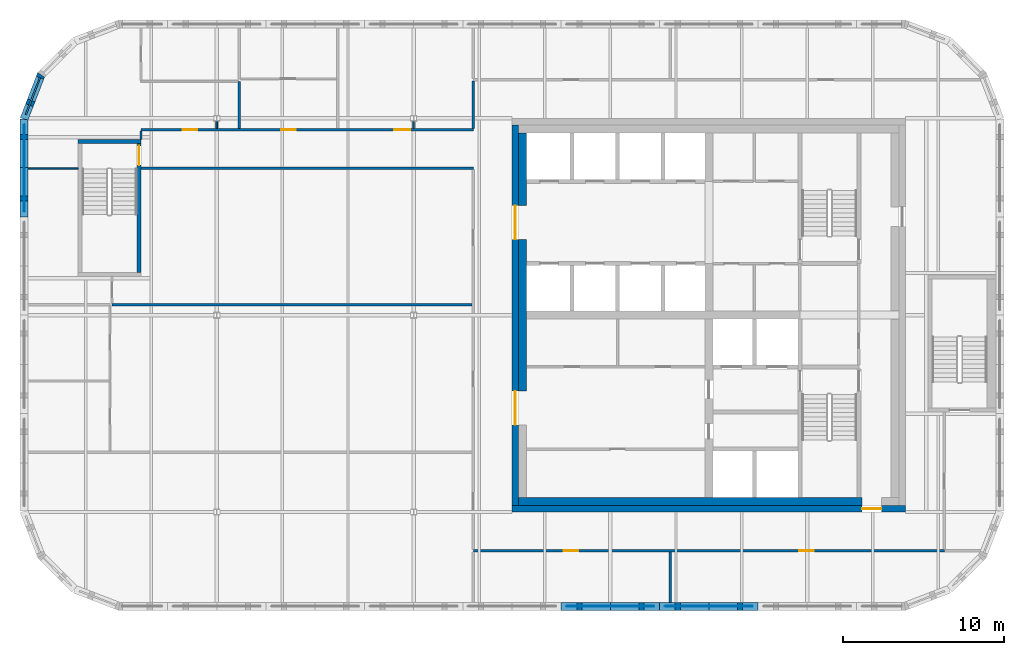
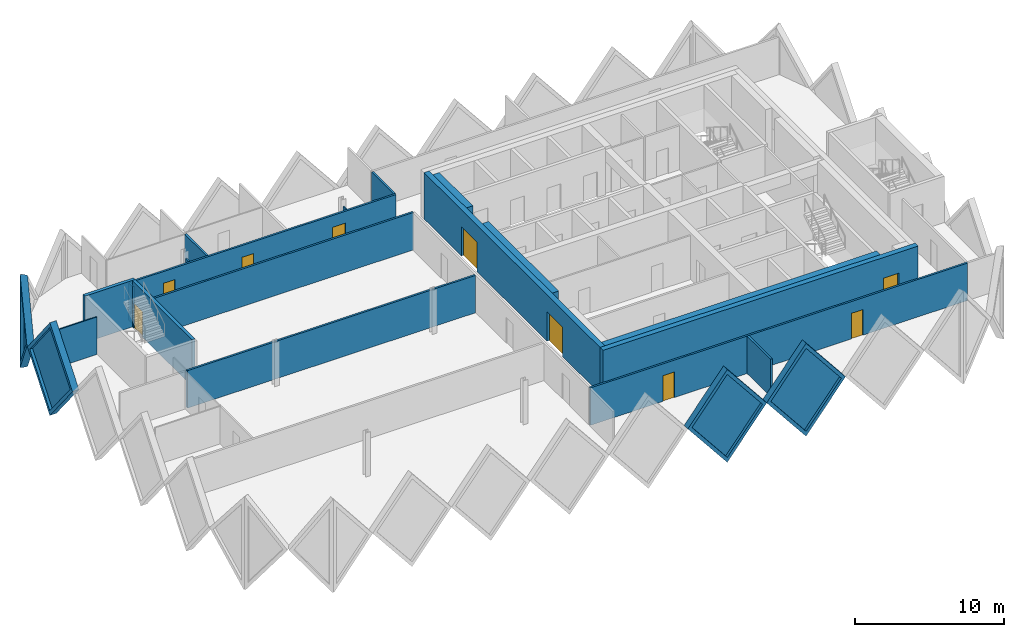
# One storey, part 4 of 10: 22 walls, 9 doors, 4 plates, 13 openings.
"""IFC4 building model written with IfcOpenShell, lengths in metres."""

from ifc_helpers import new_model, si_unit, direction, frame, frame_2d, origin, place, context, subcontext, project, spatial, polyline, rectangle, outline, extrude, faceted_brep, source, transform, mapped, material, layer, layer_set, type_object, element, fill, save


model = new_model("IFC4")

# Units and contexts
model_context = context("Model", 3, precision=1e-05, world=origin(), true_north=direction((0.0, 1.0)))
body_context = subcontext(model_context, "Body", "Model", "MODEL_VIEW")
ifc_project = project(units=[si_unit("LENGTHUNIT", "METRE"), si_unit("AREAUNIT", "SQUARE_METRE"), si_unit("VOLUMEUNIT", "CUBIC_METRE"), si_unit("PLANEANGLEUNIT", "RADIAN"), si_unit("MASSUNIT", "GRAM", prefix="KILO")], contexts=[model_context])

# Site, building, storey
site_placement = place(None, origin())
site = spatial("IfcSite", under=ifc_project, at=site_placement, CompositionType="ELEMENT")
building_placement = place(site_placement, origin())
building = spatial("IfcBuilding", under=site, at=building_placement, Name="Tessera Gate Towers", CompositionType="ELEMENT")
storey_placement = place(building_placement, frame((0.0, 0.0, 252.10009765625)))
storey = spatial("IfcBuildingStorey", under=building, at=storey_placement, Name="L63", CompositionType="ELEMENT", Elevation=252.10009765625)

# Wall
ifc_material_1 = material(Name="Concrete C40/50", Category="concrete")
ifc_layer_1 = layer(ifc_material_1, 0.25)
ifc_layer_set_1 = layer_set([ifc_layer_1], Name="CORE ENCLOSURE WALL 250")
wall_type_1 = type_object("IfcWallType", Name="CORE ENCLOSURE WALL 250", PredefinedType="SOLIDWALL", material=ifc_layer_set_1)
wall_1_placement = place(storey_placement, frame((3.60009765625, 47.375, 0.0), z_axis=(0.0, 0.0, 1.0), x_axis=(1.0, 0.0, 0.0)))
element("IfcWall", 1, at=wall_1_placement, inside=storey, type_object=wall_type_1, Name="L63 ST3 enclosure wall", PredefinedType="SOLIDWALL", context=body_context, shape_type="SweptSolid", body=[
    extrude(rectangle(XDim=3.89990234375, YDim=0.25, at=frame_2d((1.949951171875, 0.0))), origin(), (0.0, 0.0, 1.0), 3.7998046875),
])

# Wall, opening, door
wall_2_placement = place(storey_placement, frame((7.375, 47.25, 0.0), z_axis=(0.0, 0.0, 1.0), x_axis=(0.0, -1.0, 0.0)))
wall_2 = element("IfcWall", 2, at=wall_2_placement, inside=storey, type_object=wall_type_1, Name="L63 ST3 enclosure wall", PredefinedType="SOLIDWALL", context=body_context, shape_type="SweptSolid", body=[
    extrude(rectangle(XDim=8.0, YDim=0.25, at=frame_2d((4.0, 0.0))), origin(), (0.0, 0.0, 1.0), 3.7998046875),
])
shared_shape_1 = source(origin(), body_context, "Body", "SweptSolid", [
    extrude(rectangle(XDim=1.199951171875, YDim=2.10009765625, at=frame_2d((0.60009765625, 1.050048828125))), frame((0.0, 0.135009765625, 0.0), z_axis=(0.0, -1.0, 0.0), x_axis=(1.0, 0.0, 0.0)), (0.0, 0.0, 1.0), 0.27001953125),
])
opening_1_placement = place(wall_2_placement, frame((0.14990234375, 0.0, 0.0)))
opening_1 = element("IfcOpeningElement", 3, at=opening_1_placement, cuts=wall_2, Name="Opening SD-ST3-1", PredefinedType="OPENING", context=body_context, shape_type="MappedRepresentation", body=[
    mapped(shared_shape_1, transform((0.0, 0.0, 0.0), scale=1.0)),
])
ifc_material_2 = material(Name="Hollow steel fire door", Category="steel")
door_type_1 = type_object("IfcDoorType", Name="CORE DOOR SD 1200x2100", OperationType="NOTDEFINED", PredefinedType="DOOR", material=ifc_material_2)
shared_shape_2 = source(origin(), body_context, "Body", "SweptSolid", [
    extrude(rectangle(XDim=1.199951171875, YDim=2.10009765625, at=frame_2d((0.60009765625, 1.050048828125))), frame((0.0, 0.02490234375, 0.0), z_axis=(0.0, -1.0, 0.0), x_axis=(1.0, 0.0, 0.0)), (0.0, 0.0, 1.0), 0.050048828125),
])
door_1_placement = place(opening_1_placement, origin())
door_1 = element("IfcDoor", 4, at=door_1_placement, inside=storey, type_object=door_type_1, Name="Stair door", OperationType="SINGLE_SWING_LEFT", OverallHeight=2.10009765625, OverallWidth=1.199951171875, PredefinedType="DOOR", context=body_context, shape_type="MappedRepresentation", body=[
    mapped(shared_shape_2, transform((0.0, 0.0, 0.0), scale=1.0)),
])
fill(opening_1, door_1)

ifc_material_3 = material(Name="Concrete C40/50", Category="concrete")
ifc_layer_2 = layer(ifc_material_3, 0.39990234375)
ifc_layer_set_2 = layer_set([ifc_layer_2], Name="CORE SHEAR WALL 400 C40/50")
wall_type_2 = type_object("IfcWallType", Name="CORE SHEAR WALL 400 C40/50", PredefinedType="SHEAR", material=ifc_layer_set_2)
wall_3_placement = place(storey_placement, frame((54.89990234375, 24.60009765625, 0.0), z_axis=(0.0, 0.0, 1.0), x_axis=(-1.0, 0.0, 0.0)))
wall_3 = element("IfcWall", 5, at=wall_3_placement, inside=storey, type_object=wall_type_2, Name="Core wall S L63", PredefinedType="SHEAR", context=body_context, shape_type="SweptSolid", body=[
    extrude(rectangle(XDim=24.39990234375, YDim=0.39990234375, at=frame_2d((12.199951171875, 0.0))), origin(), (0.0, 0.0, 1.0), 3.7998046875),
])
shared_shape_3 = source(origin(), body_context, "Body", "SweptSolid", [
    extrude(rectangle(XDim=1.199951171875, YDim=2.10009765625, at=frame_2d((0.60009765625, 1.050048828125))), frame((0.0, 0.2099609375, 0.0), z_axis=(0.0, -1.0, 0.0), x_axis=(1.0, 0.0, 0.0)), (0.0, 0.0, 1.0), 0.419921875),
])
opening_2_placement = place(wall_3_placement, frame((1.5, 0.0, 0.0)))
opening_2 = element("IfcOpeningElement", 6, at=opening_2_placement, cuts=wall_3, Name="Opening ED-T1-37-01", PredefinedType="OPENING", context=body_context, shape_type="MappedRepresentation", body=[
    mapped(shared_shape_3, transform((0.0, 0.0, 0.0), scale=1.0)),
])
ifc_material_4 = material(Name="Hollow steel fire door", Category="steel")
door_type_2 = type_object("IfcDoorType", Name="CORE DOOR ED 1200x2100", OperationType="NOTDEFINED", PredefinedType="DOOR", material=ifc_material_4)
door_2_placement = place(opening_2_placement, origin())
door_2 = element("IfcDoor", 7, at=door_2_placement, inside=storey, type_object=door_type_2, Name="Core exit door", OperationType="SINGLE_SWING_LEFT", OverallHeight=2.10009765625, OverallWidth=1.199951171875, PredefinedType="DOOR", context=body_context, shape_type="MappedRepresentation", body=[
    mapped(shared_shape_2, transform((0.0, 0.0, 0.0), scale=1.0)),
])
fill(opening_2, door_2)

# Wall, openings, doors
wall_4_placement = place(storey_placement, frame((30.699951171875, 24.800048828125, 0.0), z_axis=(0.0, 0.0, 1.0), x_axis=(0.0, 1.0, 0.0)))
wall_4 = element("IfcWall", 8, at=wall_4_placement, inside=storey, type_object=wall_type_2, Name="Core wall W L63", PredefinedType="SHEAR", context=body_context, shape_type="SweptSolid", body=[
    extrude(rectangle(XDim=23.599853515625, YDim=0.39990234375, at=frame_2d((11.7998046875, 0.0))), origin(), (0.0, 0.0, 1.0), 3.7998046875),
])
shared_shape_4 = source(origin(), body_context, "Body", "SweptSolid", [
    extrude(rectangle(XDim=2.10009765625, YDim=2.39990234375, at=frame_2d((1.050048828125, 1.199951171875))), frame((0.0, 0.2099609375, 0.0), z_axis=(0.0, -1.0, 0.0), x_axis=(1.0, 0.0, 0.0)), (0.0, 0.0, 1.0), 0.419921875),
])
opening_3_placement = place(wall_4_placement, frame((5.0, 0.0, 0.0)))
opening_3 = element("IfcOpeningElement", 9, at=opening_3_placement, cuts=wall_4, Name="Opening DD-T1-37-02", PredefinedType="OPENING", context=body_context, shape_type="MappedRepresentation", body=[
    mapped(shared_shape_4, transform((0.0, 0.0, 0.0), scale=1.0)),
])
opening_4_placement = place(wall_4_placement, frame((16.5, 0.0, 0.0)))
opening_4 = element("IfcOpeningElement", 10, at=opening_4_placement, cuts=wall_4, Name="Opening DD-T1-37-03", PredefinedType="OPENING", context=body_context, shape_type="MappedRepresentation", body=[
    mapped(shared_shape_4, transform((0.0, 0.0, 0.0), scale=1.0)),
])
ifc_material_5 = material(Name="Hollow steel fire door", Category="steel")
door_type_3 = type_object("IfcDoorType", Name="CORE DOOR DD 2100x2400", OperationType="NOTDEFINED", PredefinedType="DOOR", material=ifc_material_5)
shared_shape_5 = source(origin(), body_context, "Body", "SweptSolid", [
    extrude(rectangle(XDim=2.10009765625, YDim=2.39990234375, at=frame_2d((1.050048828125, 1.199951171875))), frame((0.0, 0.02490234375, 0.0), z_axis=(0.0, -1.0, 0.0), x_axis=(1.0, 0.0, 0.0)), (0.0, 0.0, 1.0), 0.050048828125),
])
door_3_placement = place(opening_3_placement, origin())
door_3 = element("IfcDoor", 11, at=door_3_placement, inside=storey, type_object=door_type_3, Name="Core entrance door", OperationType="DOUBLE_DOOR_SINGLE_SWING", OverallHeight=2.39990234375, OverallWidth=2.10009765625, PredefinedType="DOOR", context=body_context, shape_type="MappedRepresentation", body=[
    mapped(shared_shape_5, transform((0.0, 0.0, 0.0), scale=1.0)),
])
fill(opening_3, door_3)
door_4_placement = place(opening_4_placement, origin())
door_4 = element("IfcDoor", 12, at=door_4_placement, inside=storey, type_object=door_type_3, Name="Core entrance door", OperationType="DOUBLE_DOOR_SINGLE_SWING", OverallHeight=2.39990234375, OverallWidth=2.10009765625, PredefinedType="DOOR", context=body_context, shape_type="MappedRepresentation", body=[
    mapped(shared_shape_5, transform((0.0, 0.0, 0.0), scale=1.0)),
])
fill(opening_4, door_4)

# Walls
ifc_material_6 = material(Name="Concrete C40/50", Category="concrete")
ifc_layer_3 = layer(ifc_material_6, 0.5)
ifc_layer_set_3 = layer_set([ifc_layer_3], Name="CORE WALL THICKENING 500")
wall_type_3 = type_object("IfcWallType", Name="CORE WALL THICKENING 500", PredefinedType="SOLIDWALL", material=ifc_layer_set_3)
wall_5_placement = place(storey_placement, frame((30.89990234375, 25.050048828125, 0.0), z_axis=(0.0, 0.0, 1.0), x_axis=(1.0, 0.0, 0.0)))
element("IfcWall", 13, at=wall_5_placement, inside=storey, type_object=wall_type_3, Name="Core wall thickening S L63", PredefinedType="SOLIDWALL", context=body_context, shape_type="SweptSolid", body=[
    extrude(rectangle(XDim=21.300048828125, YDim=0.5, at=frame_2d((10.64990234375, 0.0))), origin(), (0.0, 0.0, 1.0), 3.7998046875),
])
wall_6_placement = place(storey_placement, frame((31.14990234375, 31.89990234375, 0.0), z_axis=(0.0, 0.0, 1.0), x_axis=(0.0, 1.0, 0.0)))
element("IfcWall", 14, at=wall_6_placement, inside=storey, type_object=wall_type_3, Name="Core wall thickening W L63", PredefinedType="SOLIDWALL", context=body_context, shape_type="SweptSolid", body=[
    extrude(rectangle(XDim=9.400146484375, YDim=0.5, at=frame_2d((4.7001953125, 0.0))), origin(), (0.0, 0.0, 1.0), 3.7998046875),
])
wall_7_placement = place(storey_placement, frame((31.14990234375, 43.39990234375, 0.0), z_axis=(0.0, 0.0, 1.0), x_axis=(0.0, 1.0, 0.0)))
element("IfcWall", 15, at=wall_7_placement, inside=storey, type_object=wall_type_3, Name="Core wall thickening W L63", PredefinedType="SOLIDWALL", context=body_context, shape_type="SweptSolid", body=[
    extrude(rectangle(XDim=4.5, YDim=0.5, at=frame_2d((2.25, 0.0))), origin(), (0.0, 0.0, 1.0), 3.7998046875),
])

# Wall, openings, doors
ifc_material_7 = material(Name="Gypsum board on steel studs, mineral wool", Category="steel")
ifc_layer_4 = layer(ifc_material_7, 0.14990234375)
ifc_layer_set_4 = layer_set([ifc_layer_4], Name="CORRIDOR WALL 150")
wall_type_4 = type_object("IfcWallType", Name="CORRIDOR WALL 150", PredefinedType="PARTITIONING", material=ifc_layer_set_4)
wall_8_placement = place(storey_placement, frame((57.300048828125, 22.0, 0.0), z_axis=(0.0, 0.0, 1.0), x_axis=(-1.0, 0.0, 0.0)))
wall_8 = element("IfcWall", 16, at=wall_8_placement, inside=storey, type_object=wall_type_4, Name="T1-L63-PW-003", PredefinedType="PARTITIONING", context=body_context, shape_type="SweptSolid", body=[
    extrude(rectangle(XDim=29.199951171875, YDim=0.14990234375, at=frame_2d((14.60009765625, 0.0))), origin(), (0.0, 0.0, 1.0), 3.06689453125),
])
shared_shape_6 = source(origin(), body_context, "Body", "SweptSolid", [
    extrude(rectangle(XDim=0.89990234375, YDim=2.10009765625, at=frame_2d((0.449951171875, 1.050048828125))), frame((0.0, 0.0849609375, 0.0), z_axis=(0.0, -1.0, 0.0), x_axis=(1.0, 0.0, 0.0)), (0.0, 0.0, 1.0), 0.169921875),
])
opening_5_placement = place(wall_8_placement, frame((22.699951171875, 0.0, 0.0)))
opening_5 = element("IfcOpeningElement", 17, at=opening_5_placement, cuts=wall_8, Name="Opening D890FD60-A22-07", PredefinedType="OPENING", context=body_context, shape_type="MappedRepresentation", body=[
    mapped(shared_shape_6, transform((0.0, 0.0, 0.0), scale=1.0)),
])
opening_6_placement = place(wall_8_placement, frame((8.10009765625, 0.0, 0.0)))
opening_6 = element("IfcOpeningElement", 18, at=opening_6_placement, cuts=wall_8, Name="Opening D890FD60-A22-08", PredefinedType="OPENING", context=body_context, shape_type="MappedRepresentation", body=[
    mapped(shared_shape_6, transform((0.0, 0.0, 0.0), scale=1.0)),
])
ifc_material_8 = material(Name="Timber door leaf in steel frame", Category="steel")
door_type_4 = type_object("IfcDoorType", Name="CORRIDOR DOOR 900 FD60", OperationType="NOTDEFINED", PredefinedType="DOOR", material=ifc_material_8)
shared_shape_7 = source(origin(), body_context, "Body", "SweptSolid", [
    extrude(rectangle(XDim=0.89990234375, YDim=2.10009765625, at=frame_2d((0.449951171875, 1.050048828125))), frame((0.0, 0.02490234375, 0.0), z_axis=(0.0, -1.0, 0.0), x_axis=(1.0, 0.0, 0.0)), (0.0, 0.0, 1.0), 0.050048828125),
])
door_5_placement = place(opening_5_placement, origin())
door_5 = element("IfcDoor", 19, at=door_5_placement, inside=storey, type_object=door_type_4, Name="T1-L63-PD-014", OperationType="SINGLE_SWING_RIGHT", OverallHeight=2.10009765625, OverallWidth=0.89990234375, PredefinedType="DOOR", context=body_context, shape_type="MappedRepresentation", body=[
    mapped(shared_shape_7, transform((0.0, 0.0, 0.0), scale=1.0)),
])
fill(opening_5, door_5)
door_6_placement = place(opening_6_placement, origin())
door_6 = element("IfcDoor", 20, at=door_6_placement, inside=storey, type_object=door_type_4, Name="T1-L63-PD-015", OperationType="SINGLE_SWING_RIGHT", OverallHeight=2.10009765625, OverallWidth=0.89990234375, PredefinedType="DOOR", context=body_context, shape_type="MappedRepresentation", body=[
    mapped(shared_shape_7, transform((0.0, 0.0, 0.0), scale=1.0)),
])
fill(opening_6, door_6)

# Walls
wall_9_placement = place(storey_placement, frame((7.5, 45.699951171875, 0.0), z_axis=(0.0, 0.0, 1.0), x_axis=(1.0, 0.0, 0.0)))
element("IfcWall", 21, at=wall_9_placement, inside=storey, type_object=wall_type_4, Name="T1-L63-PW-015", PredefinedType="PARTITIONING", context=body_context, shape_type="SweptSolid", body=[
    extrude(rectangle(XDim=20.60009765625, YDim=0.14990234375, at=frame_2d((10.300048828125, 0.0))), origin(), (0.0, 0.0, 1.0), 3.06689453125),
])
wall_10_placement = place(storey_placement, frame((7.5, 47.5, 0.0), z_axis=(0.0, 0.0, 1.0), x_axis=(0.0, 1.0, 0.0)))
element("IfcWall", 22, at=wall_10_placement, inside=storey, type_object=wall_type_4, Name="T1-L63-PW-016", PredefinedType="PARTITIONING", context=body_context, shape_type="SweptSolid", body=[
    extrude(rectangle(XDim=0.52392578125, YDim=0.14990234375, at=frame_2d((0.261962890625, 0.0))), origin(), (0.0, 0.0, 1.0), 3.06689453125),
])

# Wall, openings, doors
wall_11_placement = place(storey_placement, frame((7.5, 48.10009765625, 0.0), z_axis=(0.0, 0.0, 1.0), x_axis=(1.0, 0.0, 0.0)))
wall_11 = element("IfcWall", 23, at=wall_11_placement, inside=storey, type_object=wall_type_4, Name="T1-L63-PW-017", PredefinedType="PARTITIONING", context=body_context, shape_type="SweptSolid", body=[
    extrude(rectangle(XDim=20.60009765625, YDim=0.14990234375, at=frame_2d((10.300048828125, 0.0))), origin(), (0.0, 0.0, 1.0), 3.06689453125),
])
opening_7_placement = place(wall_11_placement, frame((8.700927734375, 0.0, 0.0)))
opening_7 = element("IfcOpeningElement", 24, at=opening_7_placement, cuts=wall_11, Name="Opening D890FD60-A22-01", PredefinedType="OPENING", context=body_context, shape_type="MappedRepresentation", body=[
    mapped(shared_shape_6, transform((0.0, 0.0, 0.0), scale=1.0)),
])
opening_8_placement = place(wall_11_placement, frame((2.60009765625, 0.0, 0.0)))
opening_8 = element("IfcOpeningElement", 25, at=opening_8_placement, cuts=wall_11, Name="Opening D890FD60-A22-02", PredefinedType="OPENING", context=body_context, shape_type="MappedRepresentation", body=[
    mapped(shared_shape_6, transform((0.0, 0.0, 0.0), scale=1.0)),
])
shared_shape_8 = source(origin(), body_context, "Body", "SweptSolid", [
    extrude(rectangle(XDim=1.0, YDim=2.10009765625, at=frame_2d((0.5, 1.050048828125))), frame((0.0, 0.0849609375, 0.0), z_axis=(0.0, -1.0, 0.0), x_axis=(1.0, 0.0, 0.0)), (0.0, 0.0, 1.0), 0.169921875),
])
opening_9_placement = place(wall_11_placement, frame((15.699951171875, 0.0, 0.0)))
opening_9 = element("IfcOpeningElement", 26, at=opening_9_placement, cuts=wall_11, Name="Opening D2100FD60-A22-02", PredefinedType="OPENING", context=body_context, shape_type="MappedRepresentation", body=[
    mapped(shared_shape_8, transform((0.0, 0.0, 0.0), scale=1.0)),
])
door_7_placement = place(opening_7_placement, origin())
door_7 = element("IfcDoor", 27, at=door_7_placement, inside=storey, type_object=door_type_4, Name="T1-L63-PD-006", OperationType="SINGLE_SWING_LEFT", OverallHeight=2.10009765625, OverallWidth=0.89990234375, PredefinedType="DOOR", context=body_context, shape_type="MappedRepresentation", body=[
    mapped(shared_shape_7, transform((0.0, 0.0, 0.0), scale=1.0)),
])
fill(opening_7, door_7)
door_8_placement = place(opening_8_placement, origin())
door_8 = element("IfcDoor", 28, at=door_8_placement, inside=storey, type_object=door_type_4, Name="T1-L63-PD-007", OperationType="SINGLE_SWING_LEFT", OverallHeight=2.10009765625, OverallWidth=0.89990234375, PredefinedType="DOOR", context=body_context, shape_type="MappedRepresentation", body=[
    mapped(shared_shape_7, transform((0.0, 0.0, 0.0), scale=1.0)),
])
fill(opening_8, door_8)
ifc_material_9 = material(Name="Timber door leaf in steel frame", Category="steel")
door_type_5 = type_object("IfcDoorType", Name="TENANCY ENTRANCE DOOR 1000 FD60", OperationType="NOTDEFINED", PredefinedType="DOOR", material=ifc_material_9)
shared_shape_9 = source(origin(), body_context, "Body", "SweptSolid", [
    extrude(rectangle(XDim=1.0, YDim=2.10009765625, at=frame_2d((0.5, 1.050048828125))), frame((0.0, 0.02490234375, 0.0), z_axis=(0.0, -1.0, 0.0), x_axis=(1.0, 0.0, 0.0)), (0.0, 0.0, 1.0), 0.050048828125),
])
door_9_placement = place(opening_9_placement, origin())
door_9 = element("IfcDoor", 29, at=door_9_placement, inside=storey, type_object=door_type_5, Name="T1-L63-PD-009", OperationType="SINGLE_SWING_LEFT", OverallHeight=2.10009765625, OverallWidth=1.0, PredefinedType="DOOR", context=body_context, shape_type="MappedRepresentation", body=[
    mapped(shared_shape_9, transform((0.0, 0.0, 0.0), scale=1.0)),
])
fill(opening_9, door_9)

# Walls
wall_12_placement = place(storey_placement, frame((28.10009765625, 48.176025390625, 0.0), z_axis=(0.0, 0.0, 1.0), x_axis=(0.0, 1.0, 0.0)))
element("IfcWall", 30, at=wall_12_placement, inside=storey, type_object=wall_type_4, Name="T1-L63-PW-020", PredefinedType="PARTITIONING", context=body_context, shape_type="SweptSolid", body=[
    extrude(rectangle(XDim=2.947998046875, YDim=0.14990234375, at=frame_2d((1.47412109375, 0.0))), origin(), (0.0, 0.0, 1.0), 3.06689453125),
])
ifc_material_10 = material(Name="Glass", Category="glass")
ifc_layer_5 = layer(ifc_material_10, 0.10009765625)
ifc_layer_set_5 = layer_set([ifc_layer_5], Name="GLAZED PARTITION 100")
wall_type_5 = type_object("IfcWallType", Name="GLAZED PARTITION 100", PredefinedType="PARTITIONING", material=ifc_layer_set_5)
wall_13_placement = place(storey_placement, frame((0.5, 45.699951171875, 0.0), z_axis=(0.0, 0.0, 1.0), x_axis=(1.0, 0.0, 0.0)))
element("IfcWall", 31, at=wall_13_placement, inside=storey, type_object=wall_type_5, Name="T1-L63-PW-014", PredefinedType="PARTITIONING", context=body_context, shape_type="SweptSolid", body=[
    extrude(rectangle(XDim=3.10009765625, YDim=0.10009765625, at=frame_2d((1.550048828125, 0.0))), origin(), (0.0, 0.0, 1.0), 3.06689453125),
])
ifc_material_11 = material(Name="Gypsum board on steel studs", Category="steel")
ifc_layer_6 = layer(ifc_material_11, 0.10009765625)
ifc_layer_set_6 = layer_set([ifc_layer_6], Name="PARTITION 100")
wall_type_6 = type_object("IfcWallType", Name="PARTITION 100", PredefinedType="PARTITIONING", material=ifc_layer_set_6)
for number, where, z_axis, x_axis, name in (
    (32, (12.199951171875, 48.60009765625, 0.0), (0.0, 0.0, 1.0), (0.0, -1.0, 0.0), "T1-L63-PW-021"),
    (33, (24.39990234375, 48.60009765625, 0.0), (0.0, 0.0, 1.0), (0.0, -1.0, 0.0), "T1-L63-PW-022"),
):
    element("IfcWall", number, at=place(storey_placement, frame(where, z_axis=z_axis, x_axis=x_axis)), inside=storey, type_object=wall_type_6, Name=name, PredefinedType="PARTITIONING", context=body_context, shape_type="SweptSolid", body=[
        extrude(rectangle(XDim=0.425048828125, YDim=0.10009765625, at=frame_2d((0.21240234375, 0.0))), origin(), (0.0, 0.0, 1.0), 3.06689453125),
    ])
ifc_material_12 = material(Name="Gypsum board on steel studs, mineral wool", Category="steel")
ifc_layer_7 = layer(ifc_material_12, 0.14990234375)
ifc_layer_set_7 = layer_set([ifc_layer_7], Name="TENANCY WALL 150")
wall_type_7 = type_object("IfcWallType", Name="TENANCY WALL 150", PredefinedType="PARTITIONING", material=ifc_layer_set_7)
wall_14_placement = place(storey_placement, frame((40.300048828125, 18.800048828125, 0.0), z_axis=(0.0, 0.0, 1.0), x_axis=(0.0, 1.0, 0.0)))
element("IfcWall", 34, at=wall_14_placement, inside=storey, type_object=wall_type_7, Name="T1-L63-PW-002", PredefinedType="PARTITIONING", context=body_context, shape_type="SweptSolid", body=[
    extrude(rectangle(XDim=3.1240234375, YDim=0.14990234375, at=frame_2d((1.56201171875, 0.0))), origin(), (0.0, 0.0, 1.0), 3.06689453125),
])
wall_15_placement = place(storey_placement, frame((5.699951171875, 37.25, 0.0), z_axis=(0.0, 0.0, 1.0), x_axis=(1.0, 0.0, 0.0)))
element("IfcWall", 35, at=wall_15_placement, inside=storey, type_object=wall_type_7, Name="T1-L63-PW-012", PredefinedType="PARTITIONING", context=body_context, shape_type="SweptSolid", body=[
    extrude(rectangle(XDim=22.323974609375, YDim=0.14990234375, at=frame_2d((11.162109375, 0.0))), origin(), (0.0, 0.0, 1.0), 3.06689453125),
])
wall_16_placement = place(storey_placement, frame((13.60009765625, 48.176025390625, 0.0), z_axis=(0.0, 0.0, 1.0), x_axis=(0.0, 1.0, 0.0)))
element("IfcWall", 36, at=wall_16_placement, inside=storey, type_object=wall_type_7, Name="T1-L63-PW-018", PredefinedType="PARTITIONING", context=body_context, shape_type="SweptSolid", body=[
    extrude(rectangle(XDim=2.924072265625, YDim=0.14990234375, at=frame_2d((1.4619140625, 0.0))), origin(), (0.0, 0.0, 1.0), 3.06689453125),
])

# Wall, opening, plate
ifc_material_13 = material(Name="Precast concrete C60/75 white", Category="concrete")
ifc_layer_8 = layer(ifc_material_13, 0.5)
ifc_layer_set_8 = layer_set([ifc_layer_8], Name="TS1 tessera")
wall_type_8 = type_object("IfcWallType", Name="TS1 tessera", PredefinedType="SOLIDWALL", material=ifc_layer_set_8)
shared_shape_10 = source(origin(), body_context, "Body", "Brep", [
    faceted_brep([(3.00341796875, -0.25, 0.0), (6.053466796875, -0.25, 3.800048828125), (3.00341796875, -0.25, 7.599853515625), (0.0, -0.25, 3.800048828125), (0.046630859375, 0.25, 3.85888671875), (3.00341796875, 0.25, 7.599853515625), (6.053466796875, 0.25, 3.800048828125), (3.00341796875, 0.25, 0.0), (0.046630859375, 0.25, 3.7412109375), (0.0, 0.0, 3.800048828125)], [[[0, 1, 2, 3]], [[4, 5, 6, 7, 8]], [[7, 6, 1, 0]], [[6, 5, 2, 1]], [[5, 4, 9, 3, 2]], [[8, 7, 0, 3, 9]], [[8, 9, 4]]]),
])
wall_17_placement = place(storey_placement, frame((0.25, 48.75341796875, -3.800048828125), z_axis=(0.0, 0.0, 1.0), x_axis=(0.0, -1.0, 0.0)))
wall_17 = element("IfcWall", 37, at=wall_17_placement, inside=storey, type_object=wall_type_8, Name="Precast tessera T1 TS1-1119", PredefinedType="SOLIDWALL", context=body_context, shape_type="MappedRepresentation", body=[
    mapped(shared_shape_10, transform((0.0, 0.0, 0.0), scale=1.0)),
])
shared_shape_11 = source(origin(), body_context, "Body", "SweptSolid", [
    extrude(outline(polyline([(3.0048828125, 0.401123046875), (5.73291015625, 3.800048828125), (3.0048828125, 7.19873046875), (0.318603515625, 3.800048828125), (3.0048828125, 0.401123046875)])), frame((0.0, 0.260009765625, 0.0), z_axis=(0.0, -1.0, 0.0), x_axis=(1.0, 0.0, 0.0)), (0.0, 0.0, 1.0), 0.52001953125),
])
opening_10_placement = place(wall_17_placement, origin())
opening_10 = element("IfcOpeningElement", 38, at=opening_10_placement, cuts=wall_17, Name="Opening T1-PL2-2265", PredefinedType="OPENING", context=body_context, shape_type="MappedRepresentation", body=[
    mapped(shared_shape_11, transform((0.0, 0.0, 0.0), scale=1.0)),
])
ifc_material_14 = material(Name="Low-e laminated glass", Category="glass")
ifc_layer_9 = layer(ifc_material_14, 0.06005859375)
ifc_layer_set_9 = layer_set([ifc_layer_9], Name="PL2 rhombic pane")
plate_type = type_object("IfcPlateType", Name="PL2 rhombic pane", PredefinedType="SHEET", material=ifc_layer_set_9)
shared_shape_12 = source(origin(), body_context, "Body", "SweptSolid", [
    extrude(outline(polyline([(3.0048828125, 0.401123046875), (5.73291015625, 3.800048828125), (3.0048828125, 7.19873046875), (0.318603515625, 3.800048828125), (3.0048828125, 0.401123046875)])), frame((0.0, 0.030029296875, 0.0), z_axis=(0.0, -1.0, 0.0), x_axis=(1.0, 0.0, 0.0)), (0.0, 0.0, 1.0), 0.06005859375),
])
plate_1_placement = place(opening_10_placement, origin())
plate_1 = element("IfcPlate", 39, at=plate_1_placement, inside=storey, type_object=plate_type, Name="Glass pane T1 PL2-2265", PredefinedType="SHEET", context=body_context, shape_type="MappedRepresentation", body=[
    mapped(shared_shape_12, transform((0.0, 0.0, 0.0), scale=1.0)),
])
fill(opening_10, plate_1)

shared_shape_13 = source(origin(), body_context, "Body", "Brep", [
    faceted_brep([(3.050048828125, -0.25, 0.0), (6.099853515625, -0.25, 3.7998046875), (6.099853515625, -0.25, 3.80029296875), (3.050048828125, -0.25, 7.599853515625), (0.0, -0.25, 3.800048828125), (0.0, 0.25, 3.800048828125), (3.050048828125, 0.25, 7.599853515625), (6.099853515625, 0.25, 3.80029296875), (6.099853515625, 0.25, 3.7998046875), (3.050048828125, 0.25, 0.0)], [[[0, 1, 2, 3, 4]], [[5, 6, 7, 8, 9]], [[9, 8, 1, 0]], [[7, 6, 3, 2]], [[6, 5, 4, 3]], [[5, 9, 0, 4]], [[1, 8, 7, 2]]]),
])
wall_18_placement = place(storey_placement, frame((33.550048828125, 18.550048828125, -3.800048828125), z_axis=(0.0, 0.0, 1.0), x_axis=(1.0, 0.0, 0.0)))
wall_18 = element("IfcWall", 40, at=wall_18_placement, inside=storey, type_object=wall_type_8, Name="Precast tessera T1 TS1-1105", PredefinedType="SOLIDWALL", context=body_context, shape_type="MappedRepresentation", body=[
    mapped(shared_shape_13, transform((0.0, 0.0, 0.0), scale=1.0)),
])
shared_shape_14 = source(origin(), body_context, "Body", "SweptSolid", [
    extrude(outline(polyline([(3.050048828125, 0.3994140625), (5.779541015625, 3.800048828125), (3.050048828125, 7.200439453125), (0.320556640625, 3.800048828125), (3.050048828125, 0.3994140625)])), frame((0.0, 0.260009765625, 0.0), z_axis=(0.0, -1.0, 0.0), x_axis=(1.0, 0.0, 0.0)), (0.0, 0.0, 1.0), 0.52001953125),
])
opening_11_placement = place(wall_18_placement, origin())
opening_11 = element("IfcOpeningElement", 41, at=opening_11_placement, cuts=wall_18, Name="Opening T1-PL2-2239", PredefinedType="OPENING", context=body_context, shape_type="MappedRepresentation", body=[
    mapped(shared_shape_14, transform((0.0, 0.0, 0.0), scale=1.0)),
])
shared_shape_15 = source(origin(), body_context, "Body", "SweptSolid", [
    extrude(outline(polyline([(3.050048828125, 0.3994140625), (5.779541015625, 3.800048828125), (3.050048828125, 7.200439453125), (0.320556640625, 3.800048828125), (3.050048828125, 0.3994140625)])), frame((0.0, 0.030029296875, 0.0), z_axis=(0.0, -1.0, 0.0), x_axis=(1.0, 0.0, 0.0)), (0.0, 0.0, 1.0), 0.06005859375),
])
plate_2_placement = place(opening_11_placement, origin())
plate_2 = element("IfcPlate", 42, at=plate_2_placement, inside=storey, type_object=plate_type, Name="Glass pane T1 PL2-2239", PredefinedType="SHEET", context=body_context, shape_type="MappedRepresentation", body=[
    mapped(shared_shape_15, transform((0.0, 0.0, 0.0), scale=1.0)),
])
fill(opening_11, plate_2)

shared_shape_16 = source(origin(), body_context, "Body", "SweptSolid", [
    extrude(outline(polyline([(3.050048828125, 0.0), (6.10009765625, 3.800048828125), (3.050048828125, 7.599853515625), (0.0, 3.800048828125), (3.050048828125, 0.0)])), frame((0.0, 0.25, 0.0), z_axis=(0.0, -1.0, 0.0), x_axis=(1.0, 0.0, 0.0)), (0.0, 0.0, 1.0), 0.5),
])
wall_19_placement = place(storey_placement, frame((39.64990234375, 18.550048828125, -3.800048828125), z_axis=(0.0, 0.0, 1.0), x_axis=(1.0, 0.0, 0.0)))
wall_19 = element("IfcWall", 43, at=wall_19_placement, inside=storey, type_object=wall_type_8, Name="Precast tessera T1 TS1-1106", PredefinedType="SOLIDWALL", context=body_context, shape_type="MappedRepresentation", body=[
    mapped(shared_shape_16, transform((0.0, 0.0, 0.0), scale=1.0)),
])
opening_12_placement = place(wall_19_placement, origin())
opening_12 = element("IfcOpeningElement", 44, at=opening_12_placement, cuts=wall_19, Name="Opening T1-PL2-2240", PredefinedType="OPENING", context=body_context, shape_type="MappedRepresentation", body=[
    mapped(shared_shape_14, transform((0.0, 0.0, 0.0), scale=1.0)),
])
plate_3_placement = place(opening_12_placement, origin())
plate_3 = element("IfcPlate", 45, at=plate_3_placement, inside=storey, type_object=plate_type, Name="Glass pane T1 PL2-2240", PredefinedType="SHEET", context=body_context, shape_type="MappedRepresentation", body=[
    mapped(shared_shape_15, transform((0.0, 0.0, 0.0), scale=1.0)),
])
fill(opening_12, plate_3)

ifc_material_15 = material(Name="Precast concrete C60/75 white", Category="concrete")
ifc_layer_10 = layer(ifc_material_15, 0.5)
ifc_layer_set_10 = layer_set([ifc_layer_10], Name="TS3 corner tessera")
wall_type_9 = type_object("IfcWallType", Name="TS3 corner tessera", PredefinedType="SOLIDWALL", material=ifc_layer_set_10)
shared_shape_17 = source(origin(), body_context, "Body", "Brep", [
    faceted_brep([(0.052978515625, -0.25, 0.0), (3.00341796875, -0.25, 3.800048828125), (0.052978515625, -0.25, 7.599853515625), (0.0, -0.25, 7.531494140625), (0.0, -0.25, 0.068359375), (0.10595703125, 0.25, 7.53173828125), (2.95703125, 0.25, 3.85986328125), (2.95703125, 0.25, 3.740234375), (0.10595703125, 0.25, 0.068115234375), (3.00341796875, 0.00048828125, 3.800048828125), (0.052978515625, 0.0, 0.0), (0.052978515625, 0.0, 7.599853515625)], [[[0, 1, 2, 3, 4]], [[5, 6, 7, 8]], [[8, 7, 9, 1, 0, 10]], [[6, 5, 11, 2, 1, 9]], [[3, 2, 11]], [[10, 0, 4]], [[8, 10, 4, 3, 11, 5]], [[7, 6, 9]]]),
])
wall_20_placement = place(storey_placement, frame((1.3310546875, 51.5556640625, -3.800048828125), z_axis=(0.0, 0.0, 1.0), x_axis=(-0.35992665181, -0.932980602862, 0.0)))
wall_20 = element("IfcWall", 46, at=wall_20_placement, inside=storey, type_object=wall_type_9, Name="Precast corner tessera T1 TS3-1446", PredefinedType="SOLIDWALL", context=body_context, shape_type="MappedRepresentation", body=[
    mapped(shared_shape_17, transform((0.0, 0.0, 0.0), scale=1.0)),
])
shared_shape_18 = source(origin(), body_context, "Body", "SweptSolid", [
    extrude(outline(polyline([(0.2529296875, 0.665283203125), (2.68701171875, 3.800048828125), (0.2529296875, 6.934814453125), (0.2529296875, 0.665283203125)])), frame((0.0, 0.260009765625, 0.0), z_axis=(0.0, -1.0, 0.0), x_axis=(1.0, 0.0, 0.0)), (0.0, 0.0, 1.0), 0.52001953125),
])
opening_13_placement = place(wall_20_placement, origin())
opening_13 = element("IfcOpeningElement", 47, at=opening_13_placement, cuts=wall_20, Name="Opening T1-PL2-2264", PredefinedType="OPENING", context=body_context, shape_type="MappedRepresentation", body=[
    mapped(shared_shape_18, transform((0.0, 0.0, 0.0), scale=1.0)),
])
shared_shape_19 = source(origin(), body_context, "Body", "SweptSolid", [
    extrude(outline(polyline([(0.2529296875, 0.665283203125), (2.68701171875, 3.800048828125), (0.2529296875, 6.934814453125), (0.2529296875, 0.665283203125)])), frame((0.0, 0.030029296875, 0.0), z_axis=(0.0, -1.0, 0.0), x_axis=(1.0, 0.0, 0.0)), (0.0, 0.0, 1.0), 0.06005859375),
])
plate_4_placement = place(opening_13_placement, origin())
plate_4 = element("IfcPlate", 48, at=plate_4_placement, inside=storey, type_object=plate_type, Name="Glass pane T1 PL2-2264", PredefinedType="SHEET", context=body_context, shape_type="MappedRepresentation", body=[
    mapped(shared_shape_19, transform((0.0, 0.0, 0.0), scale=1.0)),
])
fill(opening_13, plate_4)

save(model, "model.ifc")
